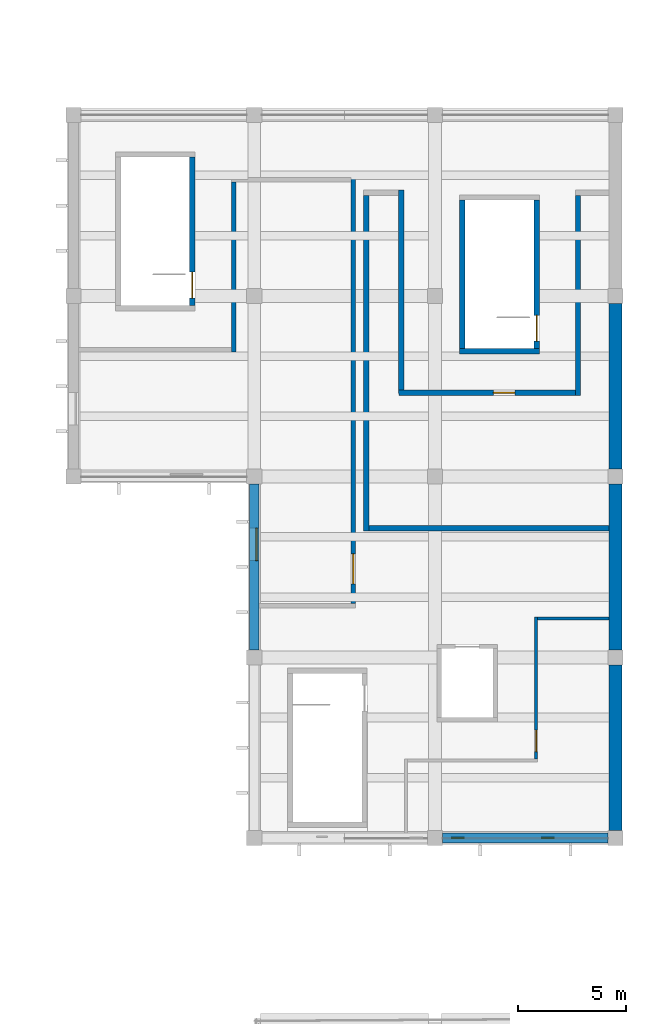
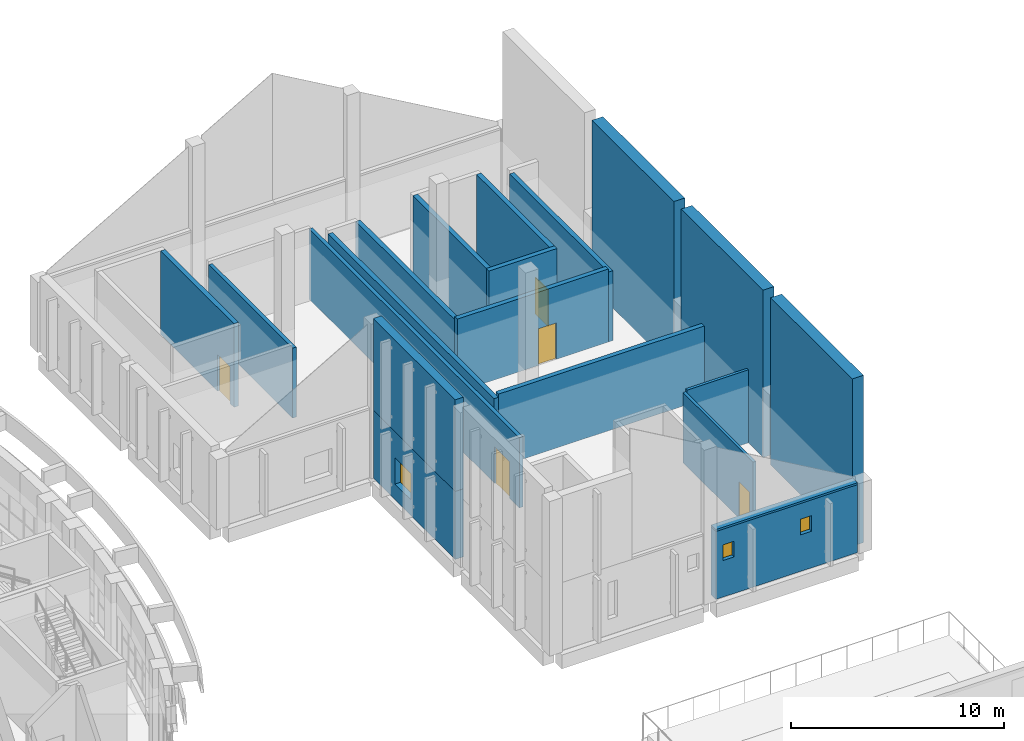
# One storey, part 44 of 79: 20 walls, 5 doors, 3 windows, 8 openings.
"""IFC4 building model written with IfcOpenShell, lengths in metres."""

from ifc_helpers import new_model, si_unit, direction, frame, frame_2d, origin, place, context, subcontext, project, spatial, rectangle, extrude, material, layer, layer_set, type_object, element, fill, save


model = new_model("IFC4")

# Units and contexts
model_context = context("Model", 3, precision=1e-05, world=origin(), true_north=direction((0.0, 1.0)))
body_context = subcontext(model_context, "Body", "Model", "MODEL_VIEW")
ifc_project = project(units=[si_unit("LENGTHUNIT", "METRE"), si_unit("AREAUNIT", "SQUARE_METRE"), si_unit("VOLUMEUNIT", "CUBIC_METRE"), si_unit("PLANEANGLEUNIT", "RADIAN"), si_unit("MASSUNIT", "GRAM", prefix="KILO")], contexts=[model_context])

# Site, building, storey
site_placement = place(None, origin())
site = spatial("IfcSite", under=ifc_project, at=site_placement, CompositionType="ELEMENT")
building_placement = place(site_placement, origin())
building = spatial("IfcBuilding", under=site, at=building_placement, Name="Larchfold Concert Hall", CompositionType="ELEMENT")
storey_placement = place(building_placement, frame((0.0, 0.0, 14.39990234375)))
storey = spatial("IfcBuildingStorey", under=building, at=storey_placement, Name="L03", CompositionType="ELEMENT", Elevation=14.39990234375)

# Wall, opening, door
ifc_material_1 = material(Name="Plasterboard partition on steel studs", Category="steel")
ifc_layer_1 = layer(ifc_material_1, 0.199951171875)
ifc_layer_set_1 = layer_set([ifc_layer_1], Name="Plasterboard partition on steel studs")
wall_type_1 = type_object("IfcWallType", Name="Acoustic partition 200", PredefinedType="PARTITIONING", material=ifc_layer_set_1)
wall_1_placement = place(storey_placement, frame((89.199951171875, 78.699951171875, 0.0), z_axis=(0.0, 0.0, 1.0), x_axis=(0.0, 1.0, 0.0)))
wall_1 = element("IfcWall", 1, at=wall_1_placement, inside=storey, type_object=wall_type_1, Name="Partition IW0056", PredefinedType="PARTITIONING", context=body_context, shape_type="SweptSolid", body=[
    extrude(rectangle(XDim=19.798095703125, YDim=0.199951171875, at=frame_2d((9.89892578125, 0.0))), origin(), (0.0, 0.0, 1.0), 4.024658203125),
])
opening_1_placement = place(wall_1_placement, frame((0.91015625, 0.0, 0.0)))
opening_1 = element("IfcOpeningElement", 2, at=opening_1_placement, cuts=wall_1, Name="Opening D-L03-118", PredefinedType="OPENING", context=body_context, shape_type="SweptSolid", body=[
    extrude(rectangle(XDim=1.39990234375, YDim=2.10009765625, at=frame_2d((0.699951171875, 1.050048828125))), frame((0.0, 0.10986328125, 0.0), z_axis=(0.0, -1.0, 0.0), x_axis=(1.0, 0.0, 0.0)), (0.0, 0.0, 1.0), 0.219970703125),
])
ifc_material_2 = material(Name="Timber door leaf", Category="wood")
door_type_1 = type_object("IfcDoorType", Name="Rehearsal room sound-lock door pair, acoustic 1400 x 2100 FD30S", OperationType="SINGLE_SWING_LEFT", PredefinedType="DOOR", material=ifc_material_2)
door_1_placement = place(opening_1_placement, origin())
door_1 = element("IfcDoor", 3, at=door_1_placement, inside=storey, type_object=door_type_1, Name="Door D-L03-118", OperationType="DOUBLE_DOOR_SINGLE_SWING", OverallHeight=2.10009765625, OverallWidth=1.39990234375, PredefinedType="DOOR", context=body_context, shape_type="SweptSolid", body=[
    extrude(rectangle(XDim=1.39990234375, YDim=2.10009765625, at=frame_2d((0.699951171875, 1.050048828125))), frame((0.0, 0.02490234375, 0.0), z_axis=(0.0, -1.0, 0.0), x_axis=(1.0, 0.0, 0.0)), (0.0, 0.0, 1.0), 0.050048828125),
])
fill(opening_1, door_1)

# Wall
wall_2_placement = place(storey_placement, frame((83.65087890625, 98.300048828125, 0.0), z_axis=(0.0, 0.0, 1.0), x_axis=(-0.000247256985, -0.999999969432, 0.0)))
element("IfcWall", 4, at=wall_2_placement, inside=storey, type_object=wall_type_1, Name="Partition IW0058", PredefinedType="PARTITIONING", context=body_context, shape_type="SweptSolid", body=[
    extrude(rectangle(XDim=7.899169921875, YDim=0.199951171875, at=frame_2d((3.94970703125, 0.0))), origin(), (0.0, 0.0, 1.0), 4.024658203125),
])

# Wall, opening, window
ifc_material_3 = material(Name="Charred larch cladding on mineral wool and CLT", Category="wood")
ifc_layer_2 = layer(ifc_material_3, 0.449951171875)
ifc_layer_set_2 = layer_set([ifc_layer_2], Name="Charred larch cladding on mineral wool and CLT")
wall_type_2 = type_object("IfcWallType", Name="Charred larch infill wall 450", PredefinedType="SOLIDWALL", material=ifc_layer_set_2)
wall_3_placement = place(storey_placement, frame((84.60009765625, 84.25, 0.0), z_axis=(0.0, 0.0, 1.0), x_axis=(0.0, -1.0, 0.0)))
wall_3 = element("IfcWall", 5, at=wall_3_placement, inside=storey, type_object=wall_type_2, Name="Infill wall W5102", PredefinedType="SOLIDWALL", context=body_context, shape_type="SweptSolid", body=[
    extrude(rectangle(XDim=7.699951171875, YDim=0.449951171875, at=frame_2d((3.85009765625, 0.0))), origin(), (0.0, 0.0, 1.0), 3.900146484375),
])
opening_2_placement = place(wall_3_placement, frame((2.050048828125, 0.0, 0.89990234375)))
opening_2 = element("IfcOpeningElement", 6, at=opening_2_placement, cuts=wall_3, Name="Opening WN-L03-056", PredefinedType="OPENING", context=body_context, shape_type="SweptSolid", body=[
    extrude(rectangle(XDim=1.5, YDim=1.5, at=frame_2d((0.75, 0.75))), frame((0.0, 0.23486328125, 0.0), z_axis=(0.0, -1.0, 0.0), x_axis=(1.0, 0.0, 0.0)), (0.0, 0.0, 1.0), 0.469970703125),
])
ifc_material_4 = material(Name="Anodised graphite aluminium frame with glass", Category="aluminium")
window_type_1 = type_object("IfcWindowType", Name="Studio window 1500x1500", PartitioningType="DOUBLE_PANEL_VERTICAL", PredefinedType="WINDOW", material=ifc_material_4)
window_1_placement = place(opening_2_placement, origin())
window_1 = element("IfcWindow", 7, at=window_1_placement, inside=storey, type_object=window_type_1, Name="Window WN-L03-056", OverallHeight=1.5, OverallWidth=1.5, PartitioningType="DOUBLE_PANEL_VERTICAL", PredefinedType="WINDOW", context=body_context, shape_type="SweptSolid", body=[
    extrude(rectangle(XDim=1.5, YDim=1.5, at=frame_2d((0.75, 0.75))), frame((0.0, 0.135009765625, 0.0), z_axis=(0.0, -1.0, 0.0), x_axis=(1.0, 0.0, 0.0)), (0.0, 0.0, 1.0), 0.06005859375),
])
fill(opening_2, window_1)

# Wall, openings, windows
wall_4_placement = place(storey_placement, frame((93.35009765625, 67.800048828125, 0.0), z_axis=(0.0, 0.0, 1.0), x_axis=(1.0, 0.0, 0.0)))
wall_4 = element("IfcWall", 8, at=wall_4_placement, inside=storey, type_object=wall_type_2, Name="Infill wall W5105", PredefinedType="SOLIDWALL", context=body_context, shape_type="SweptSolid", body=[
    extrude(rectangle(XDim=7.69970703125, YDim=0.449951171875, at=frame_2d((3.849853515625, 0.0))), origin(), (0.0, 0.0, 1.0), 3.900146484375),
])
opening_3_placement = place(wall_4_placement, frame((0.39990234375, 0.0, 2.10009765625)))
opening_3 = element("IfcOpeningElement", 9, at=opening_3_placement, cuts=wall_4, Name="Opening WN-L03-059", PredefinedType="OPENING", context=body_context, shape_type="SweptSolid", body=[
    extrude(rectangle(XDim=0.60009765625, YDim=0.89990234375, at=frame_2d((0.300048828125, 0.449951171875))), frame((0.0, 0.23486328125, 0.0), z_axis=(0.0, -1.0, 0.0), x_axis=(1.0, 0.0, 0.0)), (0.0, 0.0, 1.0), 0.469970703125),
])
opening_4_placement = place(wall_4_placement, frame((4.599853515625, 0.0, 2.10009765625)))
opening_4 = element("IfcOpeningElement", 10, at=opening_4_placement, cuts=wall_4, Name="Opening WN-L03-060", PredefinedType="OPENING", context=body_context, shape_type="SweptSolid", body=[
    extrude(rectangle(XDim=0.60009765625, YDim=0.89990234375, at=frame_2d((0.300048828125, 0.449951171875))), frame((0.0, 0.23486328125, 0.0), z_axis=(0.0, -1.0, 0.0), x_axis=(1.0, 0.0, 0.0)), (0.0, 0.0, 1.0), 0.469970703125),
])
ifc_material_5 = material(Name="Anodised graphite aluminium frame with glass", Category="aluminium")
window_type_2 = type_object("IfcWindowType", Name="Store high window 600x900", PartitioningType="SINGLE_PANEL", PredefinedType="WINDOW", material=ifc_material_5)
window_2_placement = place(opening_3_placement, origin())
window_2 = element("IfcWindow", 11, at=window_2_placement, inside=storey, type_object=window_type_2, Name="Window WN-L03-059", OverallHeight=0.89990234375, OverallWidth=0.60009765625, PartitioningType="SINGLE_PANEL", PredefinedType="WINDOW", context=body_context, shape_type="SweptSolid", body=[
    extrude(rectangle(XDim=0.60009765625, YDim=0.89990234375, at=frame_2d((0.300048828125, 0.449951171875))), frame((0.0, 0.034912109375, 0.0), z_axis=(0.0, -1.0, 0.0), x_axis=(1.0, 0.0, 0.0)), (0.0, 0.0, 1.0), 0.06005859375),
])
fill(opening_3, window_2)
window_3_placement = place(opening_4_placement, origin())
window_3 = element("IfcWindow", 12, at=window_3_placement, inside=storey, type_object=window_type_2, Name="Window WN-L03-060", OverallHeight=0.89990234375, OverallWidth=0.60009765625, PartitioningType="SINGLE_PANEL", PredefinedType="WINDOW", context=body_context, shape_type="SweptSolid", body=[
    extrude(rectangle(XDim=0.60009765625, YDim=0.89990234375, at=frame_2d((0.300048828125, 0.449951171875))), frame((0.0, 0.034912109375, 0.0), z_axis=(0.0, -1.0, 0.0), x_axis=(1.0, 0.0, 0.0)), (0.0, 0.0, 1.0), 0.06005859375),
])
fill(opening_4, window_3)

# Walls
wall_5_placement = place(storey_placement, frame((93.35009765625, 67.800048828125, 3.900146484375), z_axis=(0.0, 0.0, 1.0), x_axis=(1.0, 0.0, 0.0)))
element("IfcWall", 13, at=wall_5_placement, inside=storey, type_object=wall_type_2, Name="Infill wall W5204", PredefinedType="SOLIDWALL", context=body_context, shape_type="SweptSolid", body=[
    extrude(rectangle(XDim=7.69970703125, YDim=0.449951171875, at=frame_2d((3.849853515625, 0.0))), origin(), (0.0, 0.0, 1.0), 0.114501953125),
])
wall_6_placement = place(storey_placement, frame((84.60009765625, 84.25, 3.900146484375), z_axis=(0.0, 0.0, 1.0), x_axis=(0.0, -1.0, 0.0)))
element("IfcWall", 14, at=wall_6_placement, inside=storey, type_object=wall_type_2, Name="Infill wall W5207", PredefinedType="SOLIDWALL", context=body_context, shape_type="SweptSolid", body=[
    extrude(rectangle(XDim=7.699951171875, YDim=0.449951171875, at=frame_2d((3.85009765625, 0.0))), origin(), (0.0, 0.0, 1.0), 5.26416015625),
])
ifc_material_6 = material(Name="Plasterboard partition on steel studs", Category="steel")
ifc_layer_3 = layer(ifc_material_6, 0.25)
ifc_layer_set_3 = layer_set([ifc_layer_3], Name="Plasterboard partition on steel studs")
wall_type_3 = type_object("IfcWallType", Name="Hall acoustic double-leaf partition 250", PredefinedType="PARTITIONING", material=ifc_layer_set_3)
wall_7_placement = place(storey_placement, frame((99.64892578125, 97.675048828125, 0.0), z_axis=(0.0, 0.0, 1.0), x_axis=(0.0, -1.0, 0.0)))
element("IfcWall", 15, at=wall_7_placement, inside=storey, type_object=wall_type_3, Name="Partition IW0049", PredefinedType="PARTITIONING", context=body_context, shape_type="SweptSolid", body=[
    extrude(rectangle(XDim=9.299072265625, YDim=0.25, at=frame_2d((4.6494140625, 0.0))), origin(), (0.0, 0.0, 1.0), 4.024658203125),
])

# Wall, opening, door
wall_8_placement = place(storey_placement, frame((99.52392578125, 88.500732421875, 0.0), z_axis=(0.0, 0.0, 1.0), x_axis=(-0.999999292227, -0.001189767153, 0.0)))
wall_8 = element("IfcWall", 16, at=wall_8_placement, inside=storey, type_object=wall_type_3, Name="Partition IW0050", PredefinedType="PARTITIONING", context=body_context, shape_type="SweptSolid", body=[
    extrude(rectangle(XDim=8.2080078125, YDim=0.25, at=frame_2d((4.10400390625, 0.0))), origin(), (0.0, 0.0, 1.0), 4.2001953125),
])
opening_5_placement = place(wall_8_placement, frame((2.80908203125, 0.0, 0.0)))
opening_5 = element("IfcOpeningElement", 17, at=opening_5_placement, cuts=wall_8, Name="Opening D-L03-117", PredefinedType="OPENING", context=body_context, shape_type="SweptSolid", body=[
    extrude(rectangle(XDim=1.0, YDim=2.10009765625, at=frame_2d((0.5, 1.050048828125))), frame((0.0, 0.135009765625, 0.0), z_axis=(0.0, -1.0, 0.0), x_axis=(1.0, 0.0, 0.0)), (0.0, 0.0, 1.0), 0.27001953125),
])
ifc_material_7 = material(Name="Timber door leaf", Category="wood")
door_type_2 = type_object("IfcDoorType", Name="Practice and studio door, acoustic 1000 x 2100 FD30S", OperationType="SINGLE_SWING_LEFT", PredefinedType="DOOR", material=ifc_material_7)
door_2_placement = place(opening_5_placement, origin())
door_2 = element("IfcDoor", 18, at=door_2_placement, inside=storey, type_object=door_type_2, Name="Door D-L03-117", OperationType="SINGLE_SWING_RIGHT", OverallHeight=2.10009765625, OverallWidth=1.0, PredefinedType="DOOR", context=body_context, shape_type="SweptSolid", body=[
    extrude(rectangle(XDim=1.0, YDim=2.10009765625, at=frame_2d((0.5, 1.050048828125))), frame((0.0, 0.02490234375, 0.0), z_axis=(0.0, -1.0, 0.0), x_axis=(1.0, 0.0, 0.0)), (0.0, 0.0, 1.0), 0.050048828125),
])
fill(opening_5, door_2)

# Walls
wall_9_placement = place(storey_placement, frame((91.44091796875, 88.615966796875, 0.0), z_axis=(0.0, 0.0, 1.0), x_axis=(-0.000314712809, 0.999999950478, 0.0)))
element("IfcWall", 19, at=wall_9_placement, inside=storey, type_object=wall_type_3, Name="Partition IW0051", PredefinedType="PARTITIONING", context=body_context, shape_type="SweptSolid", body=[
    extrude(rectangle(XDim=9.30908203125, YDim=0.25, at=frame_2d((4.654541015625, 0.0))), origin(), (0.0, 0.0, 1.0), 4.024658203125),
])
wall_10_placement = place(storey_placement, frame((89.800048828125, 97.675048828125, 0.0), z_axis=(0.0, 0.0, 1.0), x_axis=(0.000125199536, -0.999999992163, 0.0)))
element("IfcWall", 20, at=wall_10_placement, inside=storey, type_object=wall_type_3, Name="Partition IW0053", PredefinedType="PARTITIONING", context=body_context, shape_type="SweptSolid", body=[
    extrude(rectangle(XDim=15.60009765625, YDim=0.25, at=frame_2d((7.800048828125, 0.0))), origin(), (0.0, 0.0, 1.0), 4.024658203125),
])
wall_11_placement = place(storey_placement, frame((89.927001953125, 82.199951171875, 0.0), z_axis=(0.0, 0.0, 1.0), x_axis=(1.0, 0.0, 0.0)))
element("IfcWall", 21, at=wall_11_placement, inside=storey, type_object=wall_type_3, Name="Partition IW0054", PredefinedType="PARTITIONING", context=body_context, shape_type="SweptSolid", body=[
    extrude(rectangle(XDim=11.173095703125, YDim=0.25, at=frame_2d((5.58642578125, 0.0))), origin(), (0.0, 0.0, 1.0), 4.2001953125),
])

# Wall, opening, door
ifc_material_8 = material(Name="Plasterboard partition on steel studs", Category="steel")
ifc_layer_4 = layer(ifc_material_8, 0.14990234375)
ifc_layer_set_4 = layer_set([ifc_layer_4], Name="Plasterboard partition on steel studs")
wall_type_4 = type_object("IfcWallType", Name="Shaft and plant partition 150 EI 120", PredefinedType="PARTITIONING", material=ifc_layer_set_4)
wall_12_placement = place(storey_placement, frame((97.699951171875, 71.47509765625, 0.0), z_axis=(0.0, 0.0, 1.0), x_axis=(0.0, 1.0, 0.0)))
wall_12 = element("IfcWall", 22, at=wall_12_placement, inside=storey, type_object=wall_type_4, Name="Partition IW0046", PredefinedType="PARTITIONING", context=body_context, shape_type="SweptSolid", body=[
    extrude(rectangle(XDim=6.599853515625, YDim=0.14990234375, at=frame_2d((3.2998046875, 0.0))), origin(), (0.0, 0.0, 1.0), 4.024658203125),
])
opening_6_placement = place(wall_12_placement, frame((0.340576171875, 0.0, 0.0)))
opening_6 = element("IfcOpeningElement", 23, at=opening_6_placement, cuts=wall_12, Name="Opening D-L03-116", PredefinedType="OPENING", context=body_context, shape_type="SweptSolid", body=[
    extrude(rectangle(XDim=1.0, YDim=2.10009765625, at=frame_2d((0.5, 1.050048828125))), frame((0.0, 0.0849609375, 0.0), z_axis=(0.0, -1.0, 0.0), x_axis=(1.0, 0.0, 0.0)), (0.0, 0.0, 1.0), 0.169921875),
])
ifc_material_9 = material(Name="Timber door leaf", Category="wood")
door_type_3 = type_object("IfcDoorType", Name="Store door 1000 x 2100 FD60", OperationType="SINGLE_SWING_LEFT", PredefinedType="DOOR", material=ifc_material_9)
door_3_placement = place(opening_6_placement, origin())
door_3 = element("IfcDoor", 24, at=door_3_placement, inside=storey, type_object=door_type_3, Name="Door D-L03-116", OperationType="SINGLE_SWING_RIGHT", OverallHeight=2.10009765625, OverallWidth=1.0, PredefinedType="DOOR", context=body_context, shape_type="SweptSolid", body=[
    extrude(rectangle(XDim=1.0, YDim=2.10009765625, at=frame_2d((0.5, 1.050048828125))), frame((0.0, 0.02490234375, 0.0), z_axis=(0.0, -1.0, 0.0), x_axis=(1.0, 0.0, 0.0)), (0.0, 0.0, 1.0), 0.050048828125),
])
fill(opening_6, door_3)

# Wall
wall_13_placement = place(storey_placement, frame((97.77490234375, 78.0, 0.0), z_axis=(0.0, 0.0, 1.0), x_axis=(1.0, 0.0, 0.0)))
element("IfcWall", 25, at=wall_13_placement, inside=storey, type_object=wall_type_4, Name="Partition IW0047", PredefinedType="PARTITIONING", context=body_context, shape_type="SweptSolid", body=[
    extrude(rectangle(XDim=3.3251953125, YDim=0.14990234375, at=frame_2d((1.66259765625, 0.0))), origin(), (0.0, 0.0, 1.0), 4.2001953125),
])

# Wall, opening, door
ifc_material_10 = material(Name="Concrete C40/50", Category="concrete")
ifc_layer_5 = layer(ifc_material_10, 0.25)
ifc_layer_set_5 = layer_set([ifc_layer_5], Name="Concrete C40/50")
wall_type_5 = type_object("IfcWallType", Name="Wall RC 250 stair core", PredefinedType="SOLIDWALL", material=ifc_layer_set_5)
wall_14_placement = place(storey_placement, frame((81.72509765625, 92.550048828125, 0.0), z_axis=(0.0, 0.0, 1.0), x_axis=(0.0, 1.0, 0.0)))
wall_14 = element("IfcWall", 26, at=wall_14_placement, inside=storey, type_object=wall_type_5, Name="Wall W0097", PredefinedType="SOLIDWALL", context=body_context, shape_type="SweptSolid", body=[
    extrude(rectangle(XDim=6.89990234375, YDim=0.25, at=frame_2d((3.449951171875, 0.0))), origin(), (0.0, 0.0, 1.0), 4.800048828125),
])
opening_7_placement = place(wall_14_placement, frame((0.35009765625, 0.0, 0.0)))
opening_7 = element("IfcOpeningElement", 27, at=opening_7_placement, cuts=wall_14, Name="Opening D-L03-146", PredefinedType="OPENING", context=body_context, shape_type="SweptSolid", body=[
    extrude(rectangle(XDim=1.199951171875, YDim=2.10009765625, at=frame_2d((0.60009765625, 1.050048828125))), frame((0.0, 0.135009765625, 0.0), z_axis=(0.0, -1.0, 0.0), x_axis=(1.0, 0.0, 0.0)), (0.0, 0.0, 1.0), 0.27001953125),
])
ifc_material_11 = material(Name="Timber door leaf", Category="wood")
door_type_4 = type_object("IfcDoorType", Name="Stair enclosure door pair 1200 x 2100 FD60", OperationType="SINGLE_SWING_LEFT", PredefinedType="DOOR", material=ifc_material_11)
door_4_placement = place(opening_7_placement, origin())
door_4 = element("IfcDoor", 28, at=door_4_placement, inside=storey, type_object=door_type_4, Name="Door D-L03-146", OperationType="DOUBLE_DOOR_SINGLE_SWING", OverallHeight=2.10009765625, OverallWidth=1.199951171875, PredefinedType="DOOR", context=body_context, shape_type="SweptSolid", body=[
    extrude(rectangle(XDim=1.199951171875, YDim=2.10009765625, at=frame_2d((0.60009765625, 1.050048828125))), frame((0.0, 0.02490234375, 0.0), z_axis=(0.0, -1.0, 0.0), x_axis=(1.0, 0.0, 0.0)), (0.0, 0.0, 1.0), 0.050048828125),
])
fill(opening_7, door_4)

# Walls
wall_15_placement = place(storey_placement, frame((94.14990234375, 90.425048828125, 0.0), z_axis=(0.0, 0.0, 1.0), x_axis=(1.0, 0.0, 0.0)))
element("IfcWall", 29, at=wall_15_placement, inside=storey, type_object=wall_type_5, Name="Wall W0098", PredefinedType="SOLIDWALL", context=body_context, shape_type="SweptSolid", body=[
    extrude(rectangle(XDim=3.7001953125, YDim=0.25, at=frame_2d((1.85009765625, 0.0))), origin(), (0.0, 0.0, 1.0), 4.800048828125),
])
wall_16_placement = place(storey_placement, frame((94.27490234375, 90.550048828125, 0.0), z_axis=(0.0, 0.0, 1.0), x_axis=(0.0, 1.0, 0.0)))
element("IfcWall", 30, at=wall_16_placement, inside=storey, type_object=wall_type_5, Name="Wall W0100", PredefinedType="SOLIDWALL", context=body_context, shape_type="SweptSolid", body=[
    extrude(rectangle(XDim=6.89990234375, YDim=0.25, at=frame_2d((3.449951171875, 0.0))), origin(), (0.0, 0.0, 1.0), 4.800048828125),
])

# Wall, opening, door
wall_17_placement = place(storey_placement, frame((97.72509765625, 90.550048828125, 0.0), z_axis=(0.0, 0.0, 1.0), x_axis=(0.0, 1.0, 0.0)))
wall_17 = element("IfcWall", 31, at=wall_17_placement, inside=storey, type_object=wall_type_5, Name="Wall W0101", PredefinedType="SOLIDWALL", context=body_context, shape_type="SweptSolid", body=[
    extrude(rectangle(XDim=6.89990234375, YDim=0.25, at=frame_2d((3.449951171875, 0.0))), origin(), (0.0, 0.0, 1.0), 4.800048828125),
])
opening_8_placement = place(wall_17_placement, frame((0.35009765625, 0.0, 0.0)))
opening_8 = element("IfcOpeningElement", 32, at=opening_8_placement, cuts=wall_17, Name="Opening D-L03-145", PredefinedType="OPENING", context=body_context, shape_type="SweptSolid", body=[
    extrude(rectangle(XDim=1.199951171875, YDim=2.10009765625, at=frame_2d((0.60009765625, 1.050048828125))), frame((0.0, 0.135009765625, 0.0), z_axis=(0.0, -1.0, 0.0), x_axis=(1.0, 0.0, 0.0)), (0.0, 0.0, 1.0), 0.27001953125),
])
door_5_placement = place(opening_8_placement, origin())
door_5 = element("IfcDoor", 33, at=door_5_placement, inside=storey, type_object=door_type_4, Name="Door D-L03-145", OperationType="DOUBLE_DOOR_SINGLE_SWING", OverallHeight=2.10009765625, OverallWidth=1.199951171875, PredefinedType="DOOR", context=body_context, shape_type="SweptSolid", body=[
    extrude(rectangle(XDim=1.199951171875, YDim=2.10009765625, at=frame_2d((0.60009765625, 1.050048828125))), frame((0.0, 0.02490234375, 0.0), z_axis=(0.0, -1.0, 0.0), x_axis=(1.0, 0.0, 0.0)), (0.0, 0.0, 1.0), 0.050048828125),
])
fill(opening_8, door_5)

# Walls
ifc_material_12 = material(Name="Concrete C40/50", Category="concrete")
ifc_layer_6 = layer(ifc_material_12, 0.60009765625)
ifc_layer_set_6 = layer_set([ifc_layer_6], Name="Concrete C40/50")
wall_type_6 = type_object("IfcWallType", Name="Wall RC 600 party wall", PredefinedType="SOLIDWALL", material=ifc_layer_set_6)
wall_18_placement = place(storey_placement, frame((101.39990234375, 68.14990234375, 0.0), z_axis=(0.0, 0.0, 1.0), x_axis=(0.0, 1.0, 0.0)))
element("IfcWall", 34, at=wall_18_placement, inside=storey, type_object=wall_type_6, Name="Wall W0026", PredefinedType="SOLIDWALL", context=body_context, shape_type="SweptSolid", body=[
    extrude(rectangle(XDim=7.7001953125, YDim=0.60009765625, at=frame_2d((3.85009765625, 0.0))), origin(), (0.0, 0.0, 1.0), 9.60009765625),
])
for number, where, z_axis, x_axis, name in (
    (35, (101.39990234375, 76.550048828125, 0.0), (0.0, 0.0, 1.0), (0.0, 1.0, 0.0), "Wall W0027"),
    (36, (101.39990234375, 84.949951171875, 0.0), (0.0, 0.0, 1.0), (0.0, 1.0, 0.0), "Wall W0028"),
):
    element("IfcWall", number, at=place(storey_placement, frame(where, z_axis=z_axis, x_axis=x_axis)), inside=storey, type_object=wall_type_6, Name=name, PredefinedType="SOLIDWALL", context=body_context, shape_type="SweptSolid", body=[
        extrude(rectangle(XDim=7.699951171875, YDim=0.60009765625, at=frame_2d((3.85009765625, 0.0))), origin(), (0.0, 0.0, 1.0), 9.60009765625),
    ])

save(model, "model.ifc")
